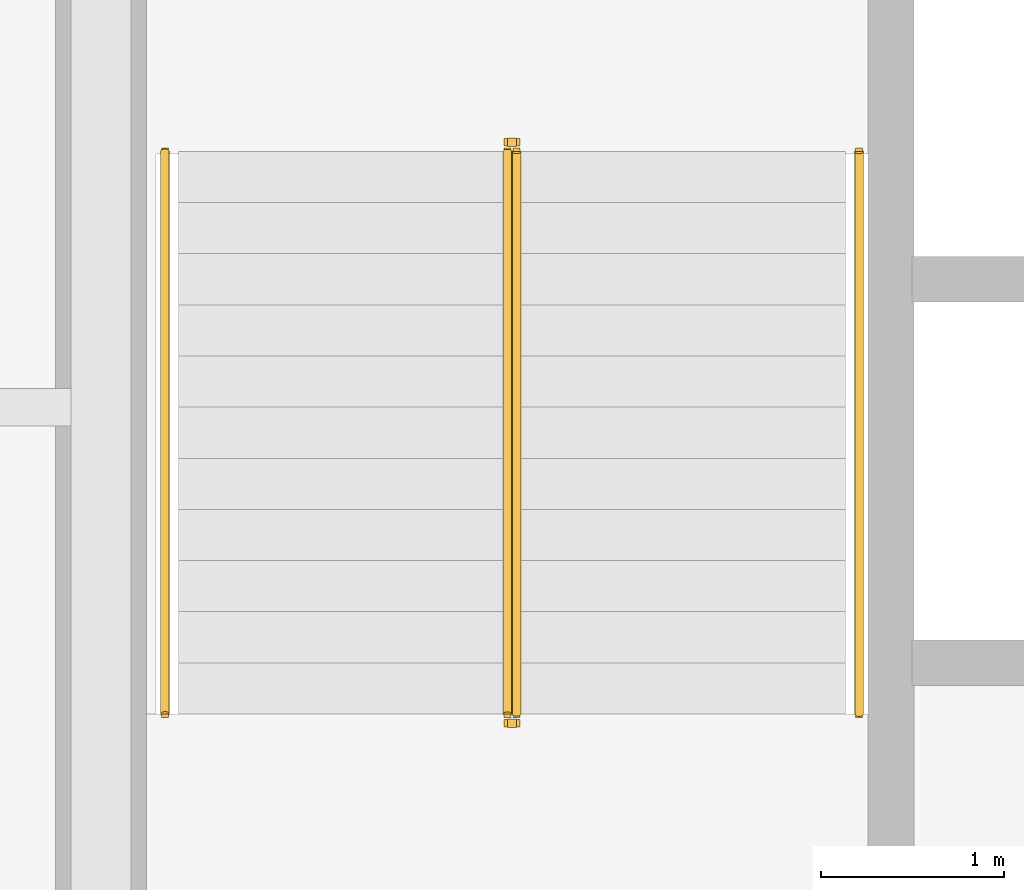
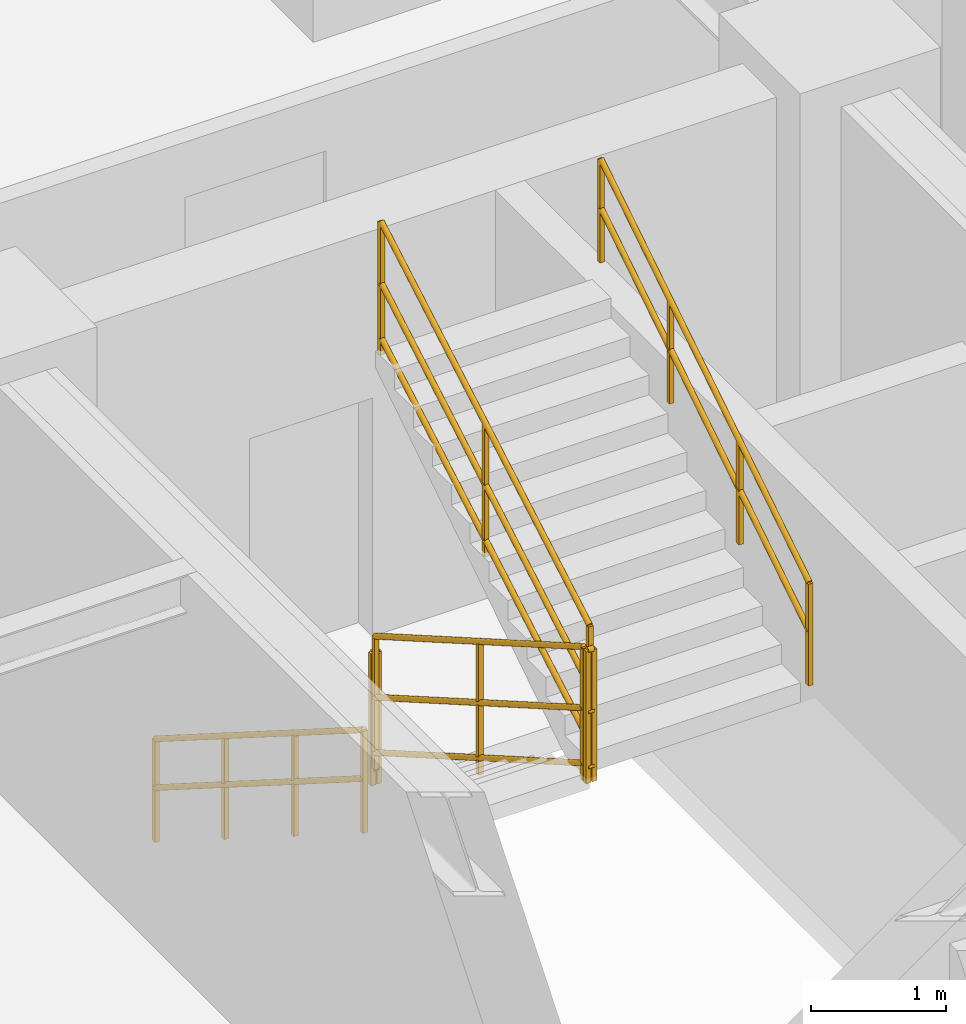
# One storey, part 9 of 9: 6 railings.
"""IFC4 building model written with IfcOpenShell, lengths in metres."""

import ifcopenshell
import ifcopenshell.guid

model = None  # the IFC model being written
_history = None  # IfcOwnerHistory: only IFC2X3 demands one
_inside = {}  # id of a spatial element -> (the spatial element, [elements in it])
_under = {}  # id of a project, library or spatial element -> (it, [spatial elements below it])
_declared = {}  # id of a project -> (the project, [libraries it declares])
_typed = {}  # id of a type object -> (the type object, [elements of that type])
_made_of = {}  # id of a material, layer set ... -> (it, [elements and type objects made of it])


def new_model(schema):
    """Start an empty IFC model of exactly this schema.

    Asked for "IFC4X3", IfcOpenShell would pick the latest addendum, in which some entities
    have other attributes; the version numbers below select the first issue.
    IFC2X3 requires an IfcOwnerHistory on every rooted entity: one is made here for all.
    """
    global model, _history
    if schema == "IFC4X3":
        model = ifcopenshell.file(schema_version=(4, 3, 0, 0))
    else:
        model = ifcopenshell.file(schema=schema)
    _inside.clear()
    _under.clear()
    _declared.clear()
    _typed.clear()
    _made_of.clear()
    _history = None
    if model.schema == "IFC2X3":
        org = make("IfcOrganization", Name="unknown")
        user = make(
            "IfcPersonAndOrganization",
            ThePerson=make("IfcPerson", FamilyName="unknown"),
            TheOrganization=org,
        )
        app = make(
            "IfcApplication",
            ApplicationDeveloper=org,
            Version="unknown",
            ApplicationFullName="unknown",
            ApplicationIdentifier="unknown",
        )
        _history = make(
            "IfcOwnerHistory",
            OwningUser=user,
            OwningApplication=app,
            ChangeAction="ADDED",
            CreationDate=0,
        )
    return model


def make(cls, **values):
    """One entity of the class cls with the attributes given. An attribute that is None is left unset."""
    return model.create_entity(
        cls, **{name: value for name, value in values.items() if value is not None}
    )


def entity(cls, *values):
    """Any entity or typed value of the class cls, its attributes in the order of the schema. None: left unset."""
    e = model.create_entity(cls)
    for i, value in enumerate(values):
        if value is not None:
            e[i] = value
    return e


def rooted(cls, **values):
    """An entity with a GlobalId (a new one), such as an element, a storey or a relation."""
    return make(cls, GlobalId=ifcopenshell.guid.new(), OwnerHistory=_history, **values)


def si_unit(unit_type, name, prefix=None):
    """IfcSIUnit, for example si_unit("LENGTHUNIT", "METRE", prefix="MILLI")."""
    return make("IfcSIUnit", UnitType=unit_type, Prefix=prefix, Name=name)


def converted_unit(unit_type, name, factor, base, dimensions=None, offset=None):
    """IfcConversionBasedUnit, such as the inch: factor (a typed value) times the base unit."""
    return make(
        "IfcConversionBasedUnit"
        if offset is None
        else "IfcConversionBasedUnitWithOffset",
        ConversionOffset=offset,
        Dimensions=None
        if dimensions is None
        else entity("IfcDimensionalExponents", *dimensions),
        UnitType=unit_type,
        Name=name,
        ConversionFactor=make(
            "IfcMeasureWithUnit", ValueComponent=factor, UnitComponent=base
        ),
    )


def assignment(units):
    """IfcUnitAssignment: the units of a project."""
    return None if units is None else make("IfcUnitAssignment", Units=units)


def point(xyz):
    """IfcCartesianPoint."""
    return None if xyz is None else make("IfcCartesianPoint", Coordinates=xyz)


def direction(xyz):
    """IfcDirection."""
    return None if xyz is None else make("IfcDirection", DirectionRatios=xyz)


def frame(location, z_axis=None, x_axis=None):
    """IfcAxis2Placement3D, a coordinate frame: its origin and axes. An axis left out is left unset."""
    return make(
        "IfcAxis2Placement3D",
        Location=point(location),
        Axis=direction(z_axis),
        RefDirection=direction(x_axis),
    )


def frame_2d(location, x_axis=None):
    """IfcAxis2Placement2D, a coordinate frame in the plane: its origin and x axis."""
    return make(
        "IfcAxis2Placement2D", Location=point(location), RefDirection=direction(x_axis)
    )


def origin_with_axes():
    """The frame at (0, 0, 0) with the z axis (0, 0, 1) and the x axis (1, 0, 0) written out."""
    return frame((0.0, 0.0, 0.0), z_axis=(0.0, 0.0, 1.0), x_axis=(1.0, 0.0, 0.0))


def origin_2d_with_axis():
    """The frame at (0, 0) in the plane with the x axis (1, 0) written out."""
    return frame_2d((0.0, 0.0), x_axis=(1.0, 0.0))


def place(relative_to, where):
    """IfcLocalPlacement: puts the frame where relative to a parent placement (None: the world)."""
    return make(
        "IfcLocalPlacement", PlacementRelTo=relative_to, RelativePlacement=where
    )


def context(
    kind, dimensions, precision=None, world=None, true_north=None, identifier=None
):
    """IfcGeometricRepresentationContext, for example the 3D "Model" context."""
    return make(
        "IfcGeometricRepresentationContext",
        ContextIdentifier=identifier,
        ContextType=kind,
        CoordinateSpaceDimension=dimensions,
        Precision=precision,
        WorldCoordinateSystem=world,
        TrueNorth=true_north,
    )


def subcontext(parent, identifier, kind, view, scale=None):
    """IfcGeometricRepresentationSubContext, for example "Body" below "Model"."""
    return make(
        "IfcGeometricRepresentationSubContext",
        ContextIdentifier=identifier,
        ContextType=kind,
        ParentContext=parent,
        TargetScale=scale,
        TargetView=view,
    )


def project(units=None, contexts=None):
    """IfcProject with its units and contexts."""
    return rooted(
        "IfcProject",
        Name="project",
        RepresentationContexts=contexts,
        UnitsInContext=assignment(units),
    )


def spatial(cls, under=None, at=None, **own):
    """A site, building, storey or space (cls), placed at a placement, below another one or the project."""
    s = rooted(cls, ObjectPlacement=at, **own)
    if under is not None:
        _under.setdefault(under.id(), (under, []))[1].append(s)
    return s


def profile(cls, at=None, kind="AREA", **sizes):
    """A parametric profile (cls). Its sizes go by their IFC names, for example OverallWidth=200.0."""
    return make(cls, ProfileType=kind, Position=at, **sizes)


def rectangle(**sizes):
    """IfcRectangleProfileDef."""
    return profile("IfcRectangleProfileDef", **sizes)


def circle(**sizes):
    """IfcCircleProfileDef."""
    return profile("IfcCircleProfileDef", **sizes)


def extrude(swept, where, along, depth):
    """IfcExtrudedAreaSolid: the profile swept, set in the frame where, extruded along a direction by depth."""
    return make(
        "IfcExtrudedAreaSolid",
        SweptArea=swept,
        Position=where,
        ExtrudedDirection=direction(along),
        Depth=depth,
    )


def shape(context_of_items, identifier, shape_type, items):
    """IfcShapeRepresentation: the items that make up one representation, for example the "Body"."""
    return make(
        "IfcShapeRepresentation",
        ContextOfItems=context_of_items,
        RepresentationIdentifier=identifier,
        RepresentationType=shape_type,
        Items=items,
    )


def material(Name=None, Category=None):
    """IfcMaterial."""
    return make("IfcMaterial", Name=Name, Category=Category)


def made_of(thing, what):
    """Note that an element or type object is made of a material, layer set ...; save() writes the relation."""
    if what is not None:
        _made_of.setdefault(what.id(), (what, []))[1].append(thing)
    return thing


def type_object(cls, material=None, **own):
    """A type object (cls), such as IfcWallType, which elements share."""
    return made_of(rooted(cls, **own), material)


def element(
    cls,
    number,
    at=None,
    inside=None,
    cuts=None,
    type_object=None,
    material=None,
    context=None,
    identifier="Body",
    shape_type=None,
    held_by="IfcProductDefinitionShape",
    body=None,
    shapes=None,
    **own,
):
    """One element of the class cls, such as IfcWall. Its Tag is "e" and its number.

    at: its placement. inside: the storey or other place that contains it. cuts: it is an
    opening in that element (IfcRelVoidsElement). A single representation is given by context,
    identifier, shape_type and body (its items); several are given by shapes. held_by: the class
    of the entity that holds the representations. save() writes the other relations.
    """
    e = rooted(cls, Tag="e%d" % number, ObjectPlacement=at, **own)
    if body is not None:
        shapes = [shape(context, identifier, shape_type, body)]
    if shapes is not None:
        e.Representation = make(held_by, Representations=shapes)
    if inside is not None:
        _inside.setdefault(inside.id(), (inside, []))[1].append(e)
    if cuts is not None:
        rooted(
            "IfcRelVoidsElement", RelatingBuildingElement=cuts, RelatedOpeningElement=e
        )
    if type_object is not None:
        _typed.setdefault(type_object.id(), (type_object, []))[1].append(e)
    return made_of(e, material)


def aggregate(whole, parts):
    """IfcRelAggregates: a whole, such as a stair, and the parts it consists of."""
    return rooted("IfcRelAggregates", RelatingObject=whole, RelatedObjects=parts)


def save(model, path):
    """Write the relations noted so far, then the file.

    IfcRelAggregates (storeys below a building ...), IfcRelContainedInSpatialStructure (elements
    in a storey), IfcRelDefinesByType, IfcRelAssociatesMaterial and IfcRelDeclares: one each for
    every whole, place, type object, material and project.
    """
    for whole, parts in _under.values():
        aggregate(whole, parts)
    for where, things in _inside.values():
        rooted(
            "IfcRelContainedInSpatialStructure",
            RelatedElements=things,
            RelatingStructure=where,
        )
    for kind, things in _typed.values():
        rooted("IfcRelDefinesByType", RelatedObjects=things, RelatingType=kind)
    for what, things in _made_of.values():
        rooted("IfcRelAssociatesMaterial", RelatedObjects=things, RelatingMaterial=what)
    for by, libraries in _declared.values():
        rooted("IfcRelDeclares", RelatingContext=by, RelatedDefinitions=libraries)
    model.write(path)


model = new_model("IFC4")

# Units and contexts
model_context = context("Model", 3, precision=1e-05, world=origin_with_axes(), true_north=direction((0.0, 1.0)))
body_context = subcontext(model_context, "Body", "Model", "MODEL_VIEW")
ifc_project = project(units=[si_unit("LENGTHUNIT", "METRE"), si_unit("AREAUNIT", "SQUARE_METRE"), si_unit("VOLUMEUNIT", "CUBIC_METRE"), converted_unit("PLANEANGLEUNIT", "DEGREE", entity("IfcPlaneAngleMeasure", 0.017453292519943295), si_unit("PLANEANGLEUNIT", "RADIAN"), dimensions=[0, 0, 0, 0, 0, 0, 0]), si_unit("MASSUNIT", "GRAM", prefix="KILO"), si_unit("THERMODYNAMICTEMPERATUREUNIT", "KELVIN")], contexts=[model_context])

# Site, building, storey
site_placement = place(None, origin_with_axes())
site = spatial("IfcSite", under=ifc_project, at=site_placement, CompositionType="ELEMENT")
building_placement = place(site_placement, origin_with_axes())
building = spatial("IfcBuilding", under=site, at=building_placement, Name="Varnlund Millrace Tower", CompositionType="ELEMENT")
storey_placement = place(building_placement, frame((0.0, 0.0, 96.9), z_axis=(0.0, 0.0, 1.0), x_axis=(1.0, 0.0, 0.0)))
storey = spatial("IfcBuildingStorey", under=building, at=storey_placement, Name="L23", CompositionType="ELEMENT", Elevation=96.9)

# Railings
ifc_material_1 = material(Name="Painted steel stair well balustrade guard", Category="steel")
railing_type_1 = type_object("IfcRailingType", Name="Type-StairGuard-1150", PredefinedType="GUARDRAIL", material=ifc_material_1)
railing_1_placement = place(storey_placement, frame((0.0, 0.0, -96.9), z_axis=(0.0, 0.0, 1.0), x_axis=(1.0, 0.0, 0.0)))
element("IfcRailing", 1, at=railing_1_placement, inside=storey, type_object=railing_type_1, Name="Type-StairGuard-1150", PredefinedType="GUARDRAIL", context=body_context, shape_type="SweptSolid", body=[
    extrude(circle(Radius=0.024, at=origin_2d_with_axis()), frame((13.625, 35.9, 98.227273), z_axis=(0.0, -0.866696, 0.498836), x_axis=(1.0, 0.0, 0.0)), (0.0, 0.0, 1.0), 3.553725),
    extrude(circle(Radius=0.024, at=origin_2d_with_axis()), frame((13.625, 35.9, 97.177273), z_axis=(0.0, -0.866696, 0.498836), x_axis=(1.0, 0.0, 0.0)), (0.0, 0.0, 1.0), 3.553725),
    extrude(circle(Radius=0.024, at=origin_2d_with_axis()), frame((13.625, 35.9, 97.675273), z_axis=(0.0, -0.866696, 0.498836), x_axis=(1.0, 0.0, 0.0)), (0.0, 0.0, 1.0), 3.553725),
    extrude(rectangle(XDim=0.04, YDim=0.04, at=origin_2d_with_axis()), frame((13.625, 35.9, 97.037273), z_axis=(0.0, 0.0, 1.0), x_axis=(1.0, 0.0, 0.0)), (0.0, 0.0, 1.0), 1.19),
    extrude(rectangle(XDim=0.04, YDim=0.04, at=origin_2d_with_axis()), frame((13.625, 34.36, 97.923636), z_axis=(0.0, 0.0, 1.0), x_axis=(1.0, 0.0, 0.0)), (0.0, 0.0, 1.0), 1.19),
    extrude(rectangle(XDim=0.04, YDim=0.04, at=origin_2d_with_axis()), frame((13.625, 32.82, 98.81), z_axis=(0.0, 0.0, 1.0), x_axis=(1.0, 0.0, 0.0)), (0.0, 0.0, 1.0), 1.19),
])
railing_2_placement = place(storey_placement, frame((0.0, 0.0, -96.9), z_axis=(0.0, 0.0, 1.0), x_axis=(1.0, 0.0, 0.0)))
element("IfcRailing", 2, at=railing_2_placement, inside=storey, type_object=railing_type_1, Name="Type-StairGuard-1150", PredefinedType="GUARDRAIL", context=body_context, shape_type="SweptSolid", body=[
    extrude(circle(Radius=0.024, at=origin_2d_with_axis()), frame((13.675, 32.77, 100.0), z_axis=(-1.0, 0.0, 0.0), x_axis=(0.0, -1.0, 0.0)), (0.0, 0.0, 1.0), 0.05),
    extrude(circle(Radius=0.024, at=origin_2d_with_axis()), frame((13.675, 32.77, 98.95), z_axis=(-1.0, 0.0, 0.0), x_axis=(0.0, -1.0, 0.0)), (0.0, 0.0, 1.0), 0.05),
    extrude(circle(Radius=0.024, at=origin_2d_with_axis()), frame((13.675, 32.77, 99.448), z_axis=(-1.0, 0.0, 0.0), x_axis=(0.0, -1.0, 0.0)), (0.0, 0.0, 1.0), 0.05),
    extrude(rectangle(XDim=0.04, YDim=0.04, at=origin_2d_with_axis()), frame((13.675, 32.77, 98.81), z_axis=(0.0, 0.0, 1.0), x_axis=(1.0, 0.0, 0.0)), (0.0, 0.0, 1.0), 1.19),
    extrude(rectangle(XDim=0.04, YDim=0.04, at=origin_2d_with_axis()), frame((13.625, 32.77, 98.81), z_axis=(0.0, 0.0, 1.0), x_axis=(1.0, 0.0, 0.0)), (0.0, 0.0, 1.0), 1.19),
])
railing_3_placement = place(storey_placement, frame((0.0, 0.0, -96.9), z_axis=(0.0, 0.0, 1.0), x_axis=(1.0, 0.0, 0.0)))
element("IfcRailing", 3, at=railing_3_placement, inside=storey, type_object=railing_type_1, Name="Type-StairGuard-1150", PredefinedType="GUARDRAIL", context=body_context, shape_type="SweptSolid", body=[
    extrude(circle(Radius=0.024, at=origin_2d_with_axis()), frame((13.675, 32.82, 100.177273), z_axis=(0.0, 0.866696, 0.498836), x_axis=(-1.0, 0.0, 0.0)), (0.0, 0.0, 1.0), 3.553725),
    extrude(circle(Radius=0.024, at=origin_2d_with_axis()), frame((13.675, 32.82, 99.127273), z_axis=(0.0, 0.866696, 0.498836), x_axis=(-1.0, 0.0, 0.0)), (0.0, 0.0, 1.0), 3.553725),
    extrude(circle(Radius=0.024, at=origin_2d_with_axis()), frame((13.675, 32.82, 99.625273), z_axis=(0.0, 0.866696, 0.498836), x_axis=(-1.0, 0.0, 0.0)), (0.0, 0.0, 1.0), 3.553725),
    extrude(rectangle(XDim=0.04, YDim=0.04, at=origin_2d_with_axis()), frame((13.675, 32.82, 98.987273), z_axis=(0.0, 0.0, 1.0), x_axis=(1.0, 0.0, 0.0)), (0.0, 0.0, 1.0), 1.19),
    extrude(rectangle(XDim=0.04, YDim=0.04, at=origin_2d_with_axis()), frame((13.675, 34.36, 99.873636), z_axis=(0.0, 0.0, 1.0), x_axis=(1.0, 0.0, 0.0)), (0.0, 0.0, 1.0), 1.19),
    extrude(rectangle(XDim=0.04, YDim=0.04, at=origin_2d_with_axis()), frame((13.675, 35.9, 100.76), z_axis=(0.0, 0.0, 1.0), x_axis=(1.0, 0.0, 0.0)), (0.0, 0.0, 1.0), 1.19),
])
railing_4_placement = place(storey_placement, frame((0.0, 0.0, -96.9), z_axis=(0.0, 0.0, 1.0), x_axis=(1.0, 0.0, 0.0)))
element("IfcRailing", 4, at=railing_4_placement, inside=storey, type_object=railing_type_1, Name="Type-StairGuard-1150", PredefinedType="GUARDRAIL", context=body_context, shape_type="SweptSolid", body=[
    extrude(circle(Radius=0.024, at=origin_2d_with_axis()), frame((13.675, 35.95, 98.05), z_axis=(-1.0, 0.0, 0.0), x_axis=(0.0, -1.0, 0.0)), (0.0, 0.0, 1.0), 0.05),
    extrude(circle(Radius=0.024, at=origin_2d_with_axis()), frame((13.675, 35.95, 97.0), z_axis=(-1.0, 0.0, 0.0), x_axis=(0.0, -1.0, 0.0)), (0.0, 0.0, 1.0), 0.05),
    extrude(circle(Radius=0.024, at=origin_2d_with_axis()), frame((13.675, 35.95, 97.498), z_axis=(-1.0, 0.0, 0.0), x_axis=(0.0, -1.0, 0.0)), (0.0, 0.0, 1.0), 0.05),
    extrude(rectangle(XDim=0.04, YDim=0.04, at=origin_2d_with_axis()), frame((13.675, 35.95, 96.86), z_axis=(0.0, 0.0, 1.0), x_axis=(1.0, 0.0, 0.0)), (0.0, 0.0, 1.0), 1.19),
    extrude(rectangle(XDim=0.04, YDim=0.04, at=origin_2d_with_axis()), frame((13.625, 35.95, 96.86), z_axis=(0.0, 0.0, 1.0), x_axis=(1.0, 0.0, 0.0)), (0.0, 0.0, 1.0), 1.19),
])
ifc_material_2 = material(Name="Brushed architectural bronze stair handrail", Category="aluminium")
railing_type_2 = type_object("IfcRailingType", Name="Type-StairHandrail-900", PredefinedType="HANDRAIL", material=ifc_material_2)
railing_5_placement = place(storey_placement, frame((0.0, 0.0, -96.9), z_axis=(0.0, 0.0, 1.0), x_axis=(1.0, 0.0, 0.0)))
element("IfcRailing", 5, at=railing_5_placement, inside=storey, type_object=railing_type_2, Name="Type-StairHandrail-900", PredefinedType="HANDRAIL", context=body_context, shape_type="SweptSolid", body=[
    extrude(circle(Radius=0.024, at=origin_2d_with_axis()), frame((11.75, 35.9, 97.956995), z_axis=(0.0, -0.844902, 0.534922), x_axis=(1.0, 0.0, 0.0)), (0.0, 0.0, 1.0), 3.645394),
    extrude(circle(Radius=0.024, at=origin_2d_with_axis()), frame((11.75, 35.9, 97.517134), z_axis=(0.0, -0.844902, 0.534922), x_axis=(1.0, 0.0, 0.0)), (0.0, 0.0, 1.0), 3.645394),
    extrude(rectangle(XDim=0.04, YDim=0.04, at=origin_2d_with_axis()), frame((11.75, 35.9, 97.037273), z_axis=(0.0, 0.0, 1.0), x_axis=(1.0, 0.0, 0.0)), (0.0, 0.0, 1.0), 0.919722),
    extrude(rectangle(XDim=0.04, YDim=0.04, at=origin_2d_with_axis()), frame((11.75, 34.873333, 97.687273), z_axis=(0.0, 0.0, 1.0), x_axis=(1.0, 0.0, 0.0)), (0.0, 0.0, 1.0), 0.919722),
    extrude(rectangle(XDim=0.04, YDim=0.04, at=origin_2d_with_axis()), frame((11.75, 33.846667, 98.337273), z_axis=(0.0, 0.0, 1.0), x_axis=(1.0, 0.0, 0.0)), (0.0, 0.0, 1.0), 0.919722),
    extrude(rectangle(XDim=0.04, YDim=0.04, at=origin_2d_with_axis()), frame((11.75, 32.82, 98.987273), z_axis=(0.0, 0.0, 1.0), x_axis=(1.0, 0.0, 0.0)), (0.0, 0.0, 1.0), 0.919722),
])
railing_6_placement = place(storey_placement, frame((0.0, 0.0, -96.9), z_axis=(0.0, 0.0, 1.0), x_axis=(1.0, 0.0, 0.0)))
element("IfcRailing", 6, at=railing_6_placement, inside=storey, type_object=railing_type_2, Name="Type-StairHandrail-900", PredefinedType="HANDRAIL", context=body_context, shape_type="SweptSolid", body=[
    extrude(circle(Radius=0.024, at=origin_2d_with_axis()), frame((15.55, 32.82, 99.906995), z_axis=(0.0, 0.844902, 0.534922), x_axis=(-1.0, 0.0, 0.0)), (0.0, 0.0, 1.0), 3.645394),
    extrude(circle(Radius=0.024, at=origin_2d_with_axis()), frame((15.55, 32.82, 99.467134), z_axis=(0.0, 0.844902, 0.534922), x_axis=(-1.0, 0.0, 0.0)), (0.0, 0.0, 1.0), 3.645394),
    extrude(rectangle(XDim=0.04, YDim=0.04, at=origin_2d_with_axis()), frame((15.55, 32.82, 98.987273), z_axis=(0.0, 0.0, 1.0), x_axis=(1.0, 0.0, 0.0)), (0.0, 0.0, 1.0), 0.919722),
    extrude(rectangle(XDim=0.04, YDim=0.04, at=origin_2d_with_axis()), frame((15.55, 33.846667, 99.637273), z_axis=(0.0, 0.0, 1.0), x_axis=(1.0, 0.0, 0.0)), (0.0, 0.0, 1.0), 0.919722),
    extrude(rectangle(XDim=0.04, YDim=0.04, at=origin_2d_with_axis()), frame((15.55, 34.873333, 100.287273), z_axis=(0.0, 0.0, 1.0), x_axis=(1.0, 0.0, 0.0)), (0.0, 0.0, 1.0), 0.919722),
    extrude(rectangle(XDim=0.04, YDim=0.04, at=origin_2d_with_axis()), frame((15.55, 35.9, 100.937273), z_axis=(0.0, 0.0, 1.0), x_axis=(1.0, 0.0, 0.0)), (0.0, 0.0, 1.0), 0.919722),
])

save(model, "model.ifc")
